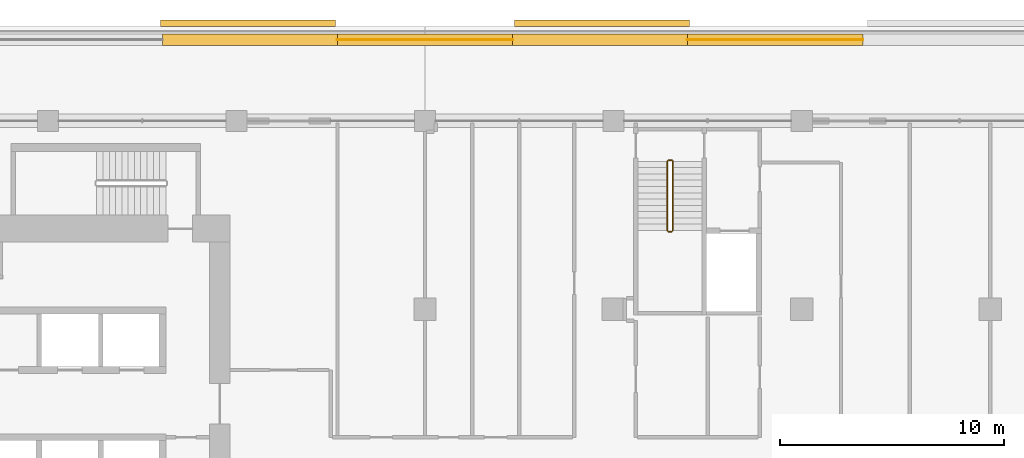
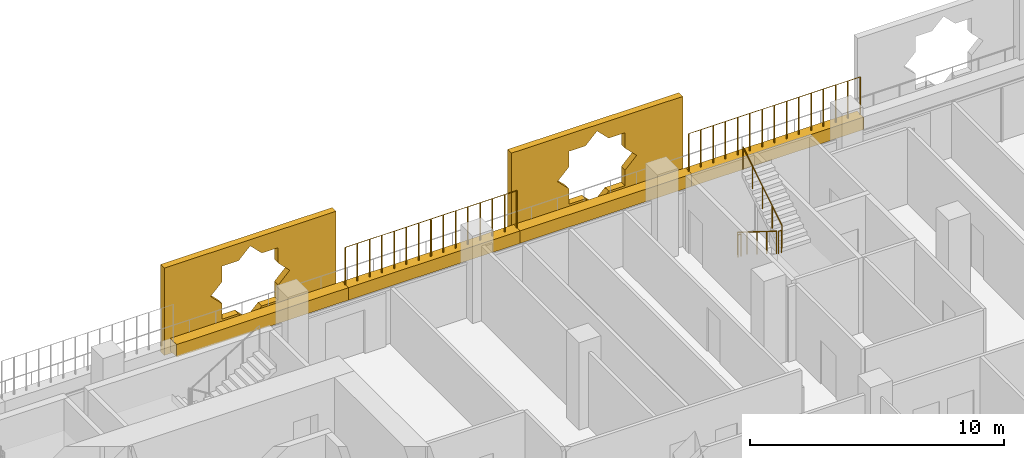
# One storey, part 21 of 22: 6 coverings, 6 railings.
"""IFC4 building model written with IfcOpenShell, lengths in metres."""

from ifc_helpers import new_model, si_unit, direction, frame, origin, origin_2d, place, context, subcontext, project, spatial, polyline, rectangle, circle, outline, extrude, material, material_profile, profile_set, type_object, element, save


model = new_model("IFC4")

# Units and contexts
model_context = context("Model", 3, precision=1e-05, world=origin(), true_north=direction((0.0, 1.0)))
body_context = subcontext(model_context, "Body", "Model", "MODEL_VIEW")
ifc_project = project(units=[si_unit("LENGTHUNIT", "METRE"), si_unit("AREAUNIT", "SQUARE_METRE"), si_unit("VOLUMEUNIT", "CUBIC_METRE"), si_unit("PLANEANGLEUNIT", "RADIAN"), si_unit("MASSUNIT", "GRAM", prefix="KILO")], contexts=[model_context])

# Site, building, storey
site_placement = place(None, origin())
site = spatial("IfcSite", under=ifc_project, at=site_placement, CompositionType="ELEMENT")
building_placement = place(site_placement, origin())
building = spatial("IfcBuilding", under=site, at=building_placement, Name="Kawkab Arch Medical Tower", CompositionType="ELEMENT")
storey_placement = place(building_placement, frame((0.0, 0.0, 204.60009765625)))
storey = spatial("IfcBuildingStorey", under=building, at=storey_placement, Name="L47", CompositionType="ELEMENT", Elevation=204.60009765625)

# Coverings
ifc_material_1 = material(Name="Bronze anodised aluminium mashrabiya panel, eight-point star pattern", Category="aluminium")
ifc_material_profile_1 = material_profile(ifc_material_1, outline(polyline([(-3.89990234375, -2.10009765625), (3.89990234375, -2.10009765625), (3.89990234375, 2.10009765625), (-3.89990234375, 2.10009765625), (-3.89990234375, -2.10009765625)]), holes=[polyline([(1.800048828125, 0.0), (1.272705078125, 0.527099609375), (1.272705078125, 1.272705078125), (0.527099609375, 1.272705078125), (0.0, 1.800048828125), (-0.527099609375, 1.272705078125), (-1.272705078125, 1.272705078125), (-1.272705078125, 0.527099609375), (-1.800048828125, 0.0), (-1.272705078125, -0.527099609375), (-1.272705078125, -1.272705078125), (-0.527099609375, -1.272705078125), (0.0, -1.800048828125), (0.527099609375, -1.272705078125), (1.272705078125, -1.272705078125), (1.272705078125, -0.527099609375), (1.800048828125, 0.0)])]), Name="Mashrabiya panel 7800x4200")
ifc_profile_set_1 = profile_set([ifc_material_profile_1], Name="Bronze anodised aluminium mashrabiya panel, eight-point star pattern")
covering_type_1 = type_object("IfcCoveringType", Name="Mashrabiya panel 7800 x 4200", PredefinedType="USERDEFINED", material=ifc_profile_set_1)
for number, where, z_axis, x_axis, name in (
    (1, (25.7158203125, 4.199951171875, 1.699951171875), (0.0, 1.0, 0.0), (-1.0, 0.0, 0.0), "Mashrabiya panel L47.LOG-01-01.6"),
    (2, (41.484375, 4.199951171875, 1.699951171875), (0.0, 1.0, 0.0), (-1.0, 0.0, 0.0), "Mashrabiya panel L47.LOG-01-01.7"),
):
    element("IfcCovering", number, at=place(storey_placement, frame(where, z_axis=z_axis, x_axis=x_axis)), inside=storey, type_object=covering_type_1, Name=name, ObjectType="SCREEN", PredefinedType="USERDEFINED", context=body_context, shape_type="SweptSolid", body=[
        extrude(outline(polyline([(-3.89990234375, -2.10009765625), (3.89990234375, -2.10009765625), (3.89990234375, 2.10009765625), (-3.89990234375, 2.10009765625), (-3.89990234375, -2.10009765625)]), holes=[polyline([(1.800048828125, 0.0), (1.272705078125, 0.527099609375), (1.272705078125, 1.272705078125), (0.527099609375, 1.272705078125), (0.0, 1.800048828125), (-0.527099609375, 1.272705078125), (-1.272705078125, 1.272705078125), (-1.272705078125, 0.527099609375), (-1.800048828125, 0.0), (-1.272705078125, -0.527099609375), (-1.272705078125, -1.272705078125), (-0.527099609375, -1.272705078125), (0.0, -1.800048828125), (0.527099609375, -1.272705078125), (1.272705078125, -1.272705078125), (1.272705078125, -0.527099609375), (1.800048828125, 0.0)])]), origin(), (0.0, 0.0, 1.0), 0.300048828125),
    ])
ifc_material_2 = material(Name="Planting soil in a precast trough", Category="concrete")
ifc_material_profile_2 = material_profile(ifc_material_2, rectangle(XDim=0.5, YDim=0.60009765625, at=origin_2d()), Name="Trough 500x600")
ifc_profile_set_2 = profile_set([ifc_material_profile_2], Name="Planting soil in a precast trough")
covering_type_2 = type_object("IfcCoveringType", Name="Planter trough 500 x 600", PredefinedType="USERDEFINED", material=ifc_profile_set_2)
covering_1_placement = place(storey_placement, frame((21.89306640625, 3.6201171875, 0.2998046875), z_axis=(1.0, 0.0, 0.0), x_axis=(0.0, 1.0, 0.0)))
element("IfcCovering", 3, at=covering_1_placement, inside=storey, type_object=covering_type_2, Name="Planter L47.LOG-01-01.20", ObjectType="PLANTER", PredefinedType="USERDEFINED", context=body_context, shape_type="SweptSolid", body=[
    extrude(rectangle(XDim=0.5, YDim=0.60009765625, at=origin_2d()), origin(), (0.0, 0.0, 1.0), 7.804931640625),
])
covering_2_placement = place(storey_placement, frame((29.697998046875, 3.6201171875, 0.2998046875), z_axis=(1.0, 0.0, 0.0), x_axis=(0.0, 1.0, 0.0)))
element("IfcCovering", 4, at=covering_2_placement, inside=storey, type_object=covering_type_2, Name="Planter L47.LOG-01-01.21", ObjectType="PLANTER", PredefinedType="USERDEFINED", context=body_context, shape_type="SweptSolid", body=[
    extrude(rectangle(XDim=0.5, YDim=0.60009765625, at=origin_2d()), origin(), (0.0, 0.0, 1.0), 7.803955078125),
])
covering_3_placement = place(storey_placement, frame((37.501953125, 3.6201171875, 0.2998046875), z_axis=(1.0, 0.0, 0.0), x_axis=(0.0, 1.0, 0.0)))
element("IfcCovering", 5, at=covering_3_placement, inside=storey, type_object=covering_type_2, Name="Planter L47.LOG-01-01.22", ObjectType="PLANTER", PredefinedType="USERDEFINED", context=body_context, shape_type="SweptSolid", body=[
    extrude(rectangle(XDim=0.5, YDim=0.60009765625, at=origin_2d()), origin(), (0.0, 0.0, 1.0), 7.804931640625),
])
covering_4_placement = place(storey_placement, frame((45.306884765625, 3.6201171875, 0.2998046875), z_axis=(1.0, 0.0, 0.0), x_axis=(0.0, 1.0, 0.0)))
element("IfcCovering", 6, at=covering_4_placement, inside=storey, type_object=covering_type_2, Name="Planter L47.LOG-01-01.23", ObjectType="PLANTER", PredefinedType="USERDEFINED", context=body_context, shape_type="SweptSolid", body=[
    extrude(rectangle(XDim=0.5, YDim=0.60009765625, at=origin_2d()), origin(), (0.0, 0.0, 1.0), 7.80517578125),
])

# Railings
ifc_material_3 = material(Name="Bronze anodised aluminium trellis for climbing plants", Category="aluminium")
railing_type_1 = type_object("IfcRailingType", Name="Planting trellis 2400", PredefinedType="USERDEFINED", material=ifc_material_3)
railing_1_placement = place(storey_placement, frame((29.697998046875, 3.6201171875, 0.0)))
element("IfcRailing", 7, at=railing_1_placement, inside=storey, type_object=railing_type_1, Name="Planting trellis L47.LOG-01-01.21", ObjectType="TRELLIS", PredefinedType="USERDEFINED", context=body_context, shape_type="SweptSolid", body=[
    extrude(circle(Radius=0.01513671875, at=origin_2d()), frame((0.0, 0.0, 2.384765625), z_axis=(1.0, 0.0, 0.0), x_axis=(0.0, 1.0, 0.0)), (0.0, 0.0, 1.0), 7.803955078125),
    extrude(circle(Radius=0.030029296875, at=origin_2d()), origin(), (0.0, 0.0, 1.0), 2.369873046875),
    extrude(circle(Radius=0.030029296875, at=origin_2d()), frame((0.557373046875, 0.0, 0.0)), (0.0, 0.0, 1.0), 2.369873046875),
    extrude(circle(Radius=0.030029296875, at=origin_2d()), frame((1.11474609375, 0.0, 0.0)), (0.0, 0.0, 1.0), 2.369873046875),
    extrude(circle(Radius=0.030029296875, at=origin_2d()), frame((1.67236328125, 0.0, 0.0)), (0.0, 0.0, 1.0), 2.369873046875),
    extrude(circle(Radius=0.030029296875, at=origin_2d()), frame((2.229736328125, 0.0, 0.0)), (0.0, 0.0, 1.0), 2.369873046875),
    extrude(circle(Radius=0.030029296875, at=origin_2d()), frame((2.787109375, 0.0, 0.0)), (0.0, 0.0, 1.0), 2.369873046875),
    extrude(circle(Radius=0.030029296875, at=origin_2d()), frame((3.344482421875, 0.0, 0.0)), (0.0, 0.0, 1.0), 2.369873046875),
    extrude(circle(Radius=0.030029296875, at=origin_2d()), frame((3.90185546875, 0.0, 0.0)), (0.0, 0.0, 1.0), 2.369873046875),
    extrude(circle(Radius=0.030029296875, at=origin_2d()), frame((4.45947265625, 0.0, 0.0)), (0.0, 0.0, 1.0), 2.369873046875),
    extrude(circle(Radius=0.030029296875, at=origin_2d()), frame((5.016845703125, 0.0, 0.0)), (0.0, 0.0, 1.0), 2.369873046875),
    extrude(circle(Radius=0.030029296875, at=origin_2d()), frame((5.57421875, 0.0, 0.0)), (0.0, 0.0, 1.0), 2.369873046875),
    extrude(circle(Radius=0.030029296875, at=origin_2d()), frame((6.131591796875, 0.0, 0.0)), (0.0, 0.0, 1.0), 2.369873046875),
    extrude(circle(Radius=0.030029296875, at=origin_2d()), frame((6.689208984375, 0.0, 0.0)), (0.0, 0.0, 1.0), 2.369873046875),
    extrude(circle(Radius=0.030029296875, at=origin_2d()), frame((7.24658203125, 0.0, 0.0)), (0.0, 0.0, 1.0), 2.369873046875),
    extrude(circle(Radius=0.030029296875, at=origin_2d()), frame((7.803955078125, 0.0, 0.0)), (0.0, 0.0, 1.0), 2.369873046875),
])
railing_2_placement = place(storey_placement, frame((45.306884765625, 3.6201171875, 0.0)))
element("IfcRailing", 8, at=railing_2_placement, inside=storey, type_object=railing_type_1, Name="Planting trellis L47.LOG-01-01.23", ObjectType="TRELLIS", PredefinedType="USERDEFINED", context=body_context, shape_type="SweptSolid", body=[
    extrude(circle(Radius=0.01513671875, at=origin_2d()), frame((0.0, 0.0, 2.384765625), z_axis=(1.0, 0.0, 0.0), x_axis=(0.0, 1.0, 0.0)), (0.0, 0.0, 1.0), 7.80517578125),
    extrude(circle(Radius=0.030029296875, at=origin_2d()), origin(), (0.0, 0.0, 1.0), 2.369873046875),
    extrude(circle(Radius=0.030029296875, at=origin_2d()), frame((0.5576171875, 0.0, 0.0)), (0.0, 0.0, 1.0), 2.369873046875),
    extrude(circle(Radius=0.030029296875, at=origin_2d()), frame((1.114990234375, 0.0, 0.0)), (0.0, 0.0, 1.0), 2.369873046875),
    extrude(circle(Radius=0.030029296875, at=origin_2d()), frame((1.672607421875, 0.0, 0.0)), (0.0, 0.0, 1.0), 2.369873046875),
    extrude(circle(Radius=0.030029296875, at=origin_2d()), frame((2.22998046875, 0.0, 0.0)), (0.0, 0.0, 1.0), 2.369873046875),
    extrude(circle(Radius=0.030029296875, at=origin_2d()), frame((2.78759765625, 0.0, 0.0)), (0.0, 0.0, 1.0), 2.369873046875),
    extrude(circle(Radius=0.030029296875, at=origin_2d()), frame((3.344970703125, 0.0, 0.0)), (0.0, 0.0, 1.0), 2.369873046875),
    extrude(circle(Radius=0.030029296875, at=origin_2d()), frame((3.902587890625, 0.0, 0.0)), (0.0, 0.0, 1.0), 2.369873046875),
    extrude(circle(Radius=0.030029296875, at=origin_2d()), frame((4.460205078125, 0.0, 0.0)), (0.0, 0.0, 1.0), 2.369873046875),
    extrude(circle(Radius=0.030029296875, at=origin_2d()), frame((5.017578125, 0.0, 0.0)), (0.0, 0.0, 1.0), 2.369873046875),
    extrude(circle(Radius=0.030029296875, at=origin_2d()), frame((5.5751953125, 0.0, 0.0)), (0.0, 0.0, 1.0), 2.369873046875),
    extrude(circle(Radius=0.030029296875, at=origin_2d()), frame((6.132568359375, 0.0, 0.0)), (0.0, 0.0, 1.0), 2.369873046875),
    extrude(circle(Radius=0.030029296875, at=origin_2d()), frame((6.690185546875, 0.0, 0.0)), (0.0, 0.0, 1.0), 2.369873046875),
    extrude(circle(Radius=0.030029296875, at=origin_2d()), frame((7.24755859375, 0.0, 0.0)), (0.0, 0.0, 1.0), 2.369873046875),
    extrude(circle(Radius=0.030029296875, at=origin_2d()), frame((7.80517578125, 0.0, 0.0)), (0.0, 0.0, 1.0), 2.369873046875),
])
ifc_material_4 = material(Name="Stainless steel", Category="steel")
railing_type_2 = type_object("IfcRailingType", Name="Stair guard 1100", PredefinedType="GUARDRAIL", material=ifc_material_4)
railing_3_placement = place(storey_placement, frame((44.39990234375, -1.800048828125, 0.1748046875)))
element("IfcRailing", 9, at=railing_3_placement, inside=storey, type_object=railing_type_2, Name="L47 ST5 stair guard 1", PredefinedType="GUARDRAIL", context=body_context, shape_type="SweptSolid", body=[
    extrude(circle(Radius=0.02392578125, at=origin_2d()), frame((0.0, 0.0, 1.076171875), z_axis=(0.0, -0.847979421464, 0.530029150871), x_axis=(1.0, 0.0, 0.0)), (0.0, 0.0, 1.0), 3.632080078125),
    extrude(circle(Radius=0.02099609375, at=origin_2d()), origin(), (0.0, 0.0, 1.0), 1.052001953125),
    extrude(circle(Radius=0.02099609375, at=origin_2d()), frame((0.0, -0.77001953125, 0.481201171875)), (0.0, 0.0, 1.0), 1.052001953125),
    extrude(circle(Radius=0.02099609375, at=origin_2d()), frame((0.0, -1.5400390625, 0.96240234375)), (0.0, 0.0, 1.0), 1.052001953125),
    extrude(circle(Radius=0.02099609375, at=origin_2d()), frame((0.0, -2.309814453125, 1.44384765625)), (0.0, 0.0, 1.0), 1.052001953125),
    extrude(circle(Radius=0.02099609375, at=origin_2d()), frame((0.0, -3.079833984375, 1.925048828125)), (0.0, 0.0, 1.0), 1.052001953125),
])
railing_4_placement = place(storey_placement, frame((44.449951171875, -4.929931640625, 2.099853515625)))
element("IfcRailing", 10, at=railing_4_placement, inside=storey, type_object=railing_type_2, Name="L47 ST5 stair guard 2", PredefinedType="GUARDRAIL", context=body_context, shape_type="SweptSolid", body=[
    extrude(circle(Radius=0.02392578125, at=origin_2d()), frame((0.0, 0.0, 1.076171875), z_axis=(1.0, 0.0, 0.0), x_axis=(0.0, 1.0, 0.0)), (0.0, 0.0, 1.0), 0.150146484375),
    extrude(circle(Radius=0.02099609375, at=origin_2d()), origin(), (0.0, 0.0, 1.0), 1.052001953125),
    extrude(circle(Radius=0.02099609375, at=origin_2d()), frame((0.150146484375, 0.0, 0.0)), (0.0, 0.0, 1.0), 1.052001953125),
])
railing_5_placement = place(storey_placement, frame((44.64990234375, -4.8798828125, 2.27490234375)))
element("IfcRailing", 11, at=railing_5_placement, inside=storey, type_object=railing_type_2, Name="L47 ST5 stair guard 3", PredefinedType="GUARDRAIL", context=body_context, shape_type="SweptSolid", body=[
    extrude(circle(Radius=0.02392578125, at=origin_2d()), frame((0.0, 0.0, 1.076171875), z_axis=(0.0, 0.847979421464, 0.530029150871), x_axis=(-1.0, 0.0, 0.0)), (0.0, 0.0, 1.0), 3.632080078125),
    extrude(circle(Radius=0.02099609375, at=origin_2d()), origin(), (0.0, 0.0, 1.0), 1.052001953125),
    extrude(circle(Radius=0.02099609375, at=origin_2d()), frame((0.0, 0.77001953125, 0.481201171875)), (0.0, 0.0, 1.0), 1.052001953125),
    extrude(circle(Radius=0.02099609375, at=origin_2d()), frame((0.0, 1.5400390625, 0.96240234375)), (0.0, 0.0, 1.0), 1.052001953125),
    extrude(circle(Radius=0.02099609375, at=origin_2d()), frame((0.0, 2.309814453125, 1.44384765625)), (0.0, 0.0, 1.0), 1.052001953125),
    extrude(circle(Radius=0.02099609375, at=origin_2d()), frame((0.0, 3.079833984375, 1.925048828125)), (0.0, 0.0, 1.0), 1.052001953125),
])
railing_6_placement = place(storey_placement, frame((44.449951171875, -1.75, 0.0)))
element("IfcRailing", 12, at=railing_6_placement, inside=storey, type_object=railing_type_2, Name="L47 ST5 stair guard 4", PredefinedType="GUARDRAIL", context=body_context, shape_type="SweptSolid", body=[
    extrude(circle(Radius=0.02392578125, at=origin_2d()), frame((0.0, 0.0, 1.076171875), z_axis=(1.0, 0.0, 0.0), x_axis=(0.0, 1.0, 0.0)), (0.0, 0.0, 1.0), 0.150146484375),
    extrude(circle(Radius=0.02099609375, at=origin_2d()), origin(), (0.0, 0.0, 1.0), 1.052001953125),
    extrude(circle(Radius=0.02099609375, at=origin_2d()), frame((0.150146484375, 0.0, 0.0)), (0.0, 0.0, 1.0), 1.052001953125),
])

save(model, "model.ifc")
